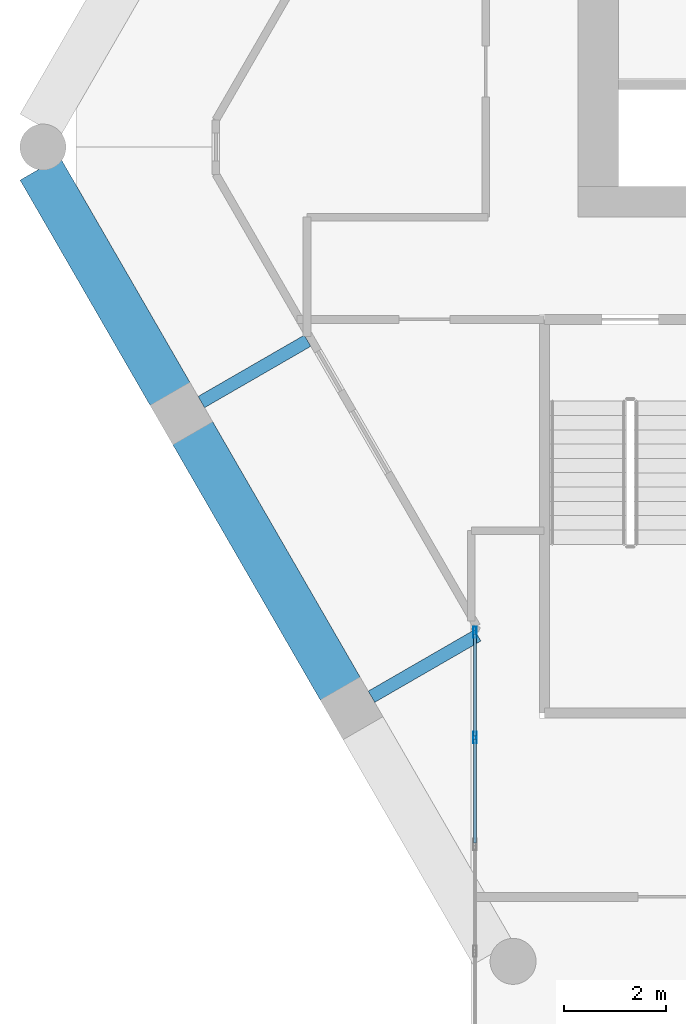
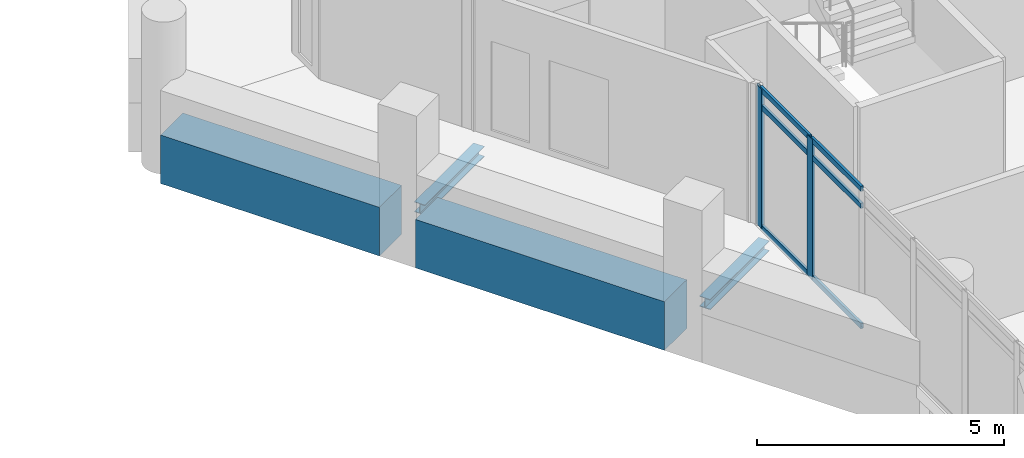
# One storey, part 9 of 25: 8 members, 4 beams, 1 element without a shape of its own.
"""IFC4 building model written with IfcOpenShell, lengths in metres."""

from ifc_helpers import new_model, si_unit, direction, frame, origin, origin_2d, place, context, subcontext, project, spatial, rectangle, hollow_rectangle, i_section, extrude, material, material_profile, profile_set, type_object, element, aggregate, save


model = new_model("IFC4")

# Units and contexts
model_context = context("Model", 3, precision=1e-05, world=origin(), true_north=direction((0.0, 1.0)))
body_context = subcontext(model_context, "Body", "Model", "MODEL_VIEW")
ifc_project = project(units=[si_unit("LENGTHUNIT", "METRE"), si_unit("AREAUNIT", "SQUARE_METRE"), si_unit("VOLUMEUNIT", "CUBIC_METRE"), si_unit("PLANEANGLEUNIT", "RADIAN"), si_unit("MASSUNIT", "GRAM", prefix="KILO")], contexts=[model_context])

# Site, building, storey
site_placement = place(None, origin())
site = spatial("IfcSite", under=ifc_project, at=site_placement, CompositionType="ELEMENT")
building_placement = place(site_placement, origin())
building = spatial("IfcBuilding", under=site, at=building_placement, Name="Ostrander Bayou Hotel Tower", CompositionType="ELEMENT")
storey_placement = place(building_placement, frame((0.0, 0.0, 233.25)))
storey = spatial("IfcBuildingStorey", under=building, at=storey_placement, Name="L58", CompositionType="ELEMENT", Elevation=233.25)

# Curtain wall, members
ifc_material_1 = material(Name="Aluminium and clear glass", Category="aluminium")
curtain_wall_type = type_object("IfcCurtainWallType", Name="CW-BAR glazed wall", PredefinedType="NOTDEFINED", material=ifc_material_1)
curtain_wall_placement = place(storey_placement, origin())
curtain_wall = element("IfcCurtainWall", 1, at=curtain_wall_placement, inside=storey, type_object=curtain_wall_type, Name="CW-BAR L58:SB5S:E", PredefinedType="NOTDEFINED")
ifc_material_2 = material(Name="Aluminium", Category="aluminium")
ifc_material_profile_1 = material_profile(ifc_material_2, hollow_rectangle(XDim=0.06005859375, YDim=0.219970703125, WallThickness=0.00390625, at=origin_2d()))
ifc_profile_set_1 = profile_set([ifc_material_profile_1], Name="Aluminium")
member_type_1 = type_object("IfcMemberType", Name="CW-BR mullion 60 x 220 mm", PredefinedType="MULLION", material=ifc_profile_set_1)
member_1_placement = place(storey_placement, frame((-10.51220703125, -9.822265625, 0.0), z_axis=(0.0, 0.0, 1.0), x_axis=(1.0, 0.0, 0.0)))
member_1 = element("IfcMember", 2, at=member_1_placement, type_object=member_type_1, Name="CW-BAR mullion 1", PredefinedType="MULLION", context=body_context, shape_type="SweptSolid", body=[
    extrude(hollow_rectangle(XDim=0.06005859375, YDim=0.219970703125, WallThickness=0.00390625, at=origin_2d()), origin(), (0.0, 0.0, 1.0), 3.449951171875),
])
member_2_placement = place(storey_placement, frame((-10.51220703125, -11.88232421875, 0.0), z_axis=(0.0, 0.0, 1.0), x_axis=(1.0, 0.0, 0.0)))
member_2 = element("IfcMember", 3, at=member_2_placement, type_object=member_type_1, Name="CW-BAR mullion 2", PredefinedType="MULLION", context=body_context, shape_type="SweptSolid", body=[
    extrude(hollow_rectangle(XDim=0.06005859375, YDim=0.219970703125, WallThickness=0.00390625, at=origin_2d()), origin(), (0.0, 0.0, 1.0), 3.449951171875),
])
ifc_material_3 = material(Name="Aluminium", Category="aluminium")
ifc_material_profile_2 = material_profile(ifc_material_3, hollow_rectangle(XDim=0.06005859375, YDim=0.1298828125, WallThickness=0.00390625, at=origin_2d()))
ifc_profile_set_2 = profile_set([ifc_material_profile_2], Name="Aluminium")
member_type_2 = type_object("IfcMemberType", Name="CW-BR transom 60 x 130 mm", PredefinedType="USERDEFINED", material=ifc_profile_set_2)
member_3_placement = place(storey_placement, frame((-10.51220703125, -9.852294921875, 0.030029296875), z_axis=(0.0, -1.0, 0.0), x_axis=(1.0, 0.0, 0.0)))
member_3 = element("IfcMember", 4, at=member_3_placement, type_object=member_type_2, Name="CW-BAR transom 1.1", ObjectType="TRANSOM", PredefinedType="USERDEFINED", context=body_context, shape_type="SweptSolid", body=[
    extrude(hollow_rectangle(XDim=0.06005859375, YDim=0.1298828125, WallThickness=0.00390625, at=origin_2d()), origin(), (0.0, 0.0, 1.0), 2.0),
])
member_4_placement = place(storey_placement, frame((-10.51220703125, -9.852294921875, 3.0), z_axis=(0.0, -1.0, 0.0), x_axis=(1.0, 0.0, 0.0)))
member_4 = element("IfcMember", 5, at=member_4_placement, type_object=member_type_2, Name="CW-BAR transom 1.2", ObjectType="TRANSOM", PredefinedType="USERDEFINED", context=body_context, shape_type="SweptSolid", body=[
    extrude(hollow_rectangle(XDim=0.06005859375, YDim=0.1298828125, WallThickness=0.00390625, at=origin_2d()), origin(), (0.0, 0.0, 1.0), 2.0),
])
member_5_placement = place(storey_placement, frame((-10.51220703125, -9.852294921875, 3.419921875), z_axis=(0.0, -1.0, 0.0), x_axis=(1.0, 0.0, 0.0)))
member_5 = element("IfcMember", 6, at=member_5_placement, type_object=member_type_2, Name="CW-BAR transom 1.3", ObjectType="TRANSOM", PredefinedType="USERDEFINED", context=body_context, shape_type="SweptSolid", body=[
    extrude(hollow_rectangle(XDim=0.06005859375, YDim=0.1298828125, WallThickness=0.00390625, at=origin_2d()), origin(), (0.0, 0.0, 1.0), 2.0),
])
member_6_placement = place(storey_placement, frame((-10.51220703125, -11.912353515625, 0.030029296875), z_axis=(0.0, -1.0, 0.0), x_axis=(1.0, 0.0, 0.0)))
member_6 = element("IfcMember", 7, at=member_6_placement, type_object=member_type_2, Name="CW-BAR transom 2.1", ObjectType="TRANSOM", PredefinedType="USERDEFINED", context=body_context, shape_type="SweptSolid", body=[
    extrude(hollow_rectangle(XDim=0.06005859375, YDim=0.1298828125, WallThickness=0.00390625, at=origin_2d()), origin(), (0.0, 0.0, 1.0), 2.030029296875),
])
member_7_placement = place(storey_placement, frame((-10.51220703125, -11.912353515625, 3.0), z_axis=(0.0, -1.0, 0.0), x_axis=(1.0, 0.0, 0.0)))
member_7 = element("IfcMember", 8, at=member_7_placement, type_object=member_type_2, Name="CW-BAR transom 2.2", ObjectType="TRANSOM", PredefinedType="USERDEFINED", context=body_context, shape_type="SweptSolid", body=[
    extrude(hollow_rectangle(XDim=0.06005859375, YDim=0.1298828125, WallThickness=0.00390625, at=origin_2d()), origin(), (0.0, 0.0, 1.0), 2.030029296875),
])
member_8_placement = place(storey_placement, frame((-10.51220703125, -11.912353515625, 3.419921875), z_axis=(0.0, -1.0, 0.0), x_axis=(1.0, 0.0, 0.0)))
member_8 = element("IfcMember", 9, at=member_8_placement, type_object=member_type_2, Name="CW-BAR transom 2.3", ObjectType="TRANSOM", PredefinedType="USERDEFINED", context=body_context, shape_type="SweptSolid", body=[
    extrude(hollow_rectangle(XDim=0.06005859375, YDim=0.1298828125, WallThickness=0.00390625, at=origin_2d()), origin(), (0.0, 0.0, 1.0), 2.030029296875),
])
aggregate(curtain_wall, [member_1, member_2, member_3, member_4, member_5, member_6, member_7, member_8])

# Beams
ifc_material_4 = material(Name="Steel ASTM A992", Category="steel")
ifc_material_profile_3 = material_profile(ifc_material_4, i_section(OverallWidth=0.25390625, OverallDepth=0.25341796875, WebThickness=0.008544921875, FlangeThickness=0.01416015625, at=origin_2d()))
ifc_profile_set_3 = profile_set([ifc_material_profile_3], Name="Steel ASTM A992")
beam_type_1 = type_object("IfcBeamType", Name="LB2 loggia bracket W10x49", PredefinedType="BEAM", material=ifc_profile_set_3)
for number, where, z_axis, x_axis, name in (
    (10, (-15.867431640625, -5.316650390625, -0.4267578125), (0.866024647952, 0.500001309137, 0.0), (-0.500001309137, 0.866024647952, 0.0), "LB2 L58 SW1"),
    (11, (-12.5380859375, -11.083251953125, -0.4267578125), (0.866024647952, 0.500001309137, 0.0), (-0.500001309137, 0.866024647952, 0.0), "LB2 L58 SW2"),
):
    element("IfcBeam", number, at=place(storey_placement, frame(where, z_axis=z_axis, x_axis=x_axis)), inside=storey, type_object=beam_type_1, Name=name, PredefinedType="BEAM", context=body_context, shape_type="SweptSolid", body=[
        extrude(i_section(OverallWidth=0.25390625, OverallDepth=0.25341796875, WebThickness=0.008544921875, FlangeThickness=0.01416015625, at=origin_2d()), origin(), (0.0, 0.0, 1.0), 2.39990234375),
    ])
ifc_material_5 = material(Name="Concrete f'c 60 MPa", Category="concrete")
ifc_material_profile_4 = material_profile(ifc_material_5, rectangle(XDim=0.89990234375, YDim=1.199951171875, at=origin_2d()))
ifc_profile_set_4 = profile_set([ifc_material_profile_4], Name="Concrete f'c 60 MPa")
beam_type_2 = type_object("IfcBeamType", Name="SP4 spandrel beam 900 x 1200 mm f'c 60 MPa", PredefinedType="SPANDREL", material=ifc_profile_set_4)
beam_1_placement = place(storey_placement, frame((-19.024169921875, -0.749267578125, -0.60009765625), z_axis=(0.499995206172, -0.866028171485, 0.0), x_axis=(0.866028171485, 0.499995206172, 0.0)))
element("IfcBeam", 12, at=beam_1_placement, inside=storey, type_object=beam_type_2, Name="SP4 L58 SW-1", PredefinedType="SPANDREL", context=body_context, shape_type="SweptSolid", body=[
    extrude(rectangle(XDim=0.89990234375, YDim=1.199951171875, at=origin_2d()), origin(), (0.0, 0.0, 1.0), 5.11376953125),
])
beam_2_placement = place(storey_placement, frame((-16.047119140625, -5.905517578125, -0.60009765625), z_axis=(0.500015433515, -0.866016493057, 0.0), x_axis=(0.866016493057, 0.500015433515, 0.0)))
element("IfcBeam", 13, at=beam_2_placement, inside=storey, type_object=beam_type_2, Name="SP4 L58 SW-2", PredefinedType="SPANDREL", context=body_context, shape_type="SweptSolid", body=[
    extrude(rectangle(XDim=0.89990234375, YDim=1.199951171875, at=origin_2d()), origin(), (0.0, 0.0, 1.0), 5.818603515625),
])

save(model, "model.ifc")
